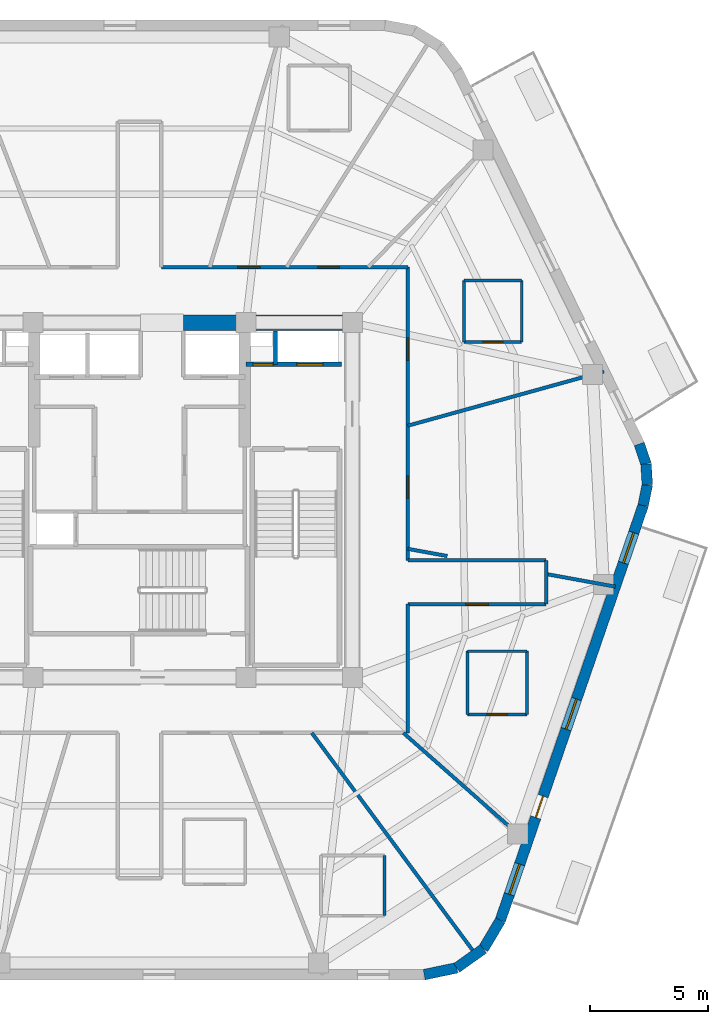
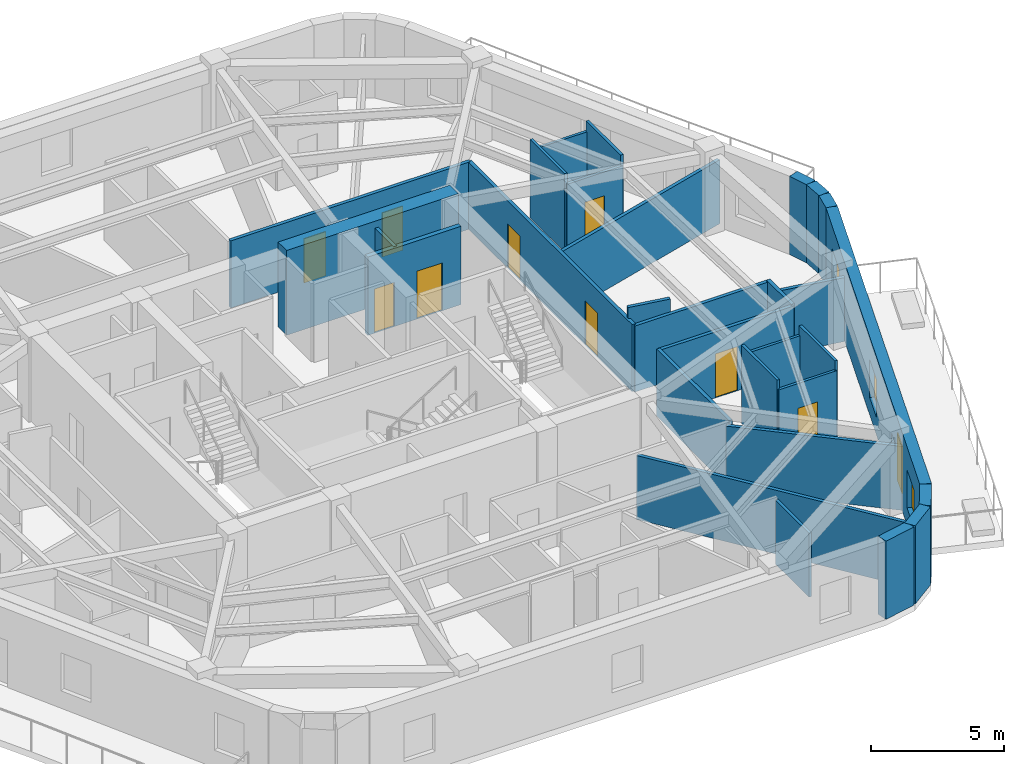
# One storey, part 5 of 9: 30 walls, 10 doors, 3 windows, 13 openings.
"""IFC4 building model written with IfcOpenShell, lengths in metres."""

from ifc_helpers import new_model, si_unit, direction, frame, frame_2d, origin, place, context, subcontext, project, spatial, rectangle, extrude, material, layer, layer_set, type_object, element, fill, save


model = new_model("IFC4")

# Units and contexts
model_context = context("Model", 3, precision=1e-05, world=origin(), true_north=direction((0.0, 1.0)))
body_context = subcontext(model_context, "Body", "Model", "MODEL_VIEW")
ifc_project = project(units=[si_unit("LENGTHUNIT", "METRE"), si_unit("AREAUNIT", "SQUARE_METRE"), si_unit("VOLUMEUNIT", "CUBIC_METRE"), si_unit("PLANEANGLEUNIT", "RADIAN"), si_unit("MASSUNIT", "GRAM", prefix="KILO")], contexts=[model_context])

# Site, building, storey
site_placement = place(None, origin())
site = spatial("IfcSite", under=ifc_project, at=site_placement, CompositionType="ELEMENT")
building_placement = place(site_placement, origin())
building = spatial("IfcBuilding", under=site, at=building_placement, Name="Kilnhurst Terrace Hotel", CompositionType="ELEMENT")
storey_placement = place(building_placement, frame((0.0, 0.0, 273.0)))
storey = spatial("IfcBuildingStorey", under=building, at=storey_placement, Name="L68", CompositionType="ELEMENT", Elevation=273.0)

# Walls
ifc_material_1 = material(Name="Precast concrete C40/50", Category="concrete")
ifc_layer_1 = layer(ifc_material_1, 0.449951171875, Name="Precast concrete C40/50")
ifc_layer_set_1 = layer_set([ifc_layer_1], Name="Precast concrete C40/50")
wall_type_1 = type_object("IfcWallType", Name="WL-BRK-450", PredefinedType="SOLIDWALL", material=ifc_layer_set_1)
wall_1_placement = place(storey_placement, frame((12.038330078125, -20.074951171875, 0.0), z_axis=(0.0, 0.0, 1.0), x_axis=(0.978750122553, 0.205056571711, 0.0)))
element("IfcWall", 1, at=wall_1_placement, inside=storey, type_object=wall_type_1, Name="L68 Rounded Corner Brick Wall C2.1", PredefinedType="SOLIDWALL", context=body_context, shape_type="SweptSolid", body=[
    extrude(rectangle(XDim=1.406005859375, YDim=0.449951171875, at=frame_2d((0.703125, 0.0))), origin(), (0.0, 0.0, 1.0), 3.60009765625),
])
wall_2_placement = place(storey_placement, frame((13.41455078125, -19.78662109375, 0.0), z_axis=(0.0, 0.0, 1.0), x_axis=(0.814055493997, 0.580787097561, 0.0)))
element("IfcWall", 2, at=wall_2_placement, inside=storey, type_object=wall_type_1, Name="L68 Rounded Corner Brick Wall C2.2", PredefinedType="SOLIDWALL", context=body_context, shape_type="SweptSolid", body=[
    extrude(rectangle(XDim=1.382568359375, YDim=0.449951171875, at=frame_2d((0.69140625, 0.0))), origin(), (0.0, 0.0, 1.0), 3.60009765625),
])
wall_3_placement = place(storey_placement, frame((14.5400390625, -18.983642578125, 0.0), z_axis=(0.0, 0.0, 1.0), x_axis=(0.512374906623, 0.858761873317, 0.0)))
element("IfcWall", 3, at=wall_3_placement, inside=storey, type_object=wall_type_1, Name="L68 Rounded Corner Brick Wall C2.3", PredefinedType="SOLIDWALL", context=body_context, shape_type="SweptSolid", body=[
    extrude(rectangle(XDim=1.406005859375, YDim=0.449951171875, at=frame_2d((0.703125, 0.0))), origin(), (0.0, 0.0, 1.0), 3.60009765625),
])
wall_4_placement = place(storey_placement, frame((21.297607421875, -0.2333984375, 0.0), z_axis=(0.0, 0.0, 1.0), x_axis=(0.199158176661, 0.979967356941, 0.0)))
element("IfcWall", 4, at=wall_4_placement, inside=storey, type_object=wall_type_1, Name="L68 Rounded Corner Brick Wall C3.1", PredefinedType="SOLIDWALL", context=body_context, shape_type="SweptSolid", body=[
    extrude(rectangle(XDim=0.894775390625, YDim=0.449951171875, at=frame_2d((0.447265625, 0.0))), origin(), (0.0, 0.0, 1.0), 3.60009765625),
])
wall_5_placement = place(storey_placement, frame((21.475830078125, 0.6435546875, 0.0), z_axis=(0.0, 0.0, 1.0), x_axis=(-0.061031097918, 0.998135865044, 0.0)))
element("IfcWall", 5, at=wall_5_placement, inside=storey, type_object=wall_type_1, Name="L68 Rounded Corner Brick Wall C3.2", PredefinedType="SOLIDWALL", context=body_context, shape_type="SweptSolid", body=[
    extrude(rectangle(XDim=0.880126953125, YDim=0.449951171875, at=frame_2d((0.43994140625, 0.0))), origin(), (0.0, 0.0, 1.0), 3.60009765625),
])
wall_6_placement = place(storey_placement, frame((21.422119140625, 1.52197265625, 0.0), z_axis=(0.0, 0.0, 1.0), x_axis=(-0.316964162323, 0.94843751497, 0.0)))
element("IfcWall", 6, at=wall_6_placement, inside=storey, type_object=wall_type_1, Name="L68 Rounded Corner Brick Wall C3.3", PredefinedType="SOLIDWALL", context=body_context, shape_type="SweptSolid", body=[
    extrude(rectangle(XDim=0.89501953125, YDim=0.449951171875, at=frame_2d((0.447509765625, 0.0))), origin(), (0.0, 0.0, 1.0), 3.60009765625),
])

# Wall, openings, door, windows
wall_7_placement = place(storey_placement, frame((15.260498046875, -17.776123046875, 0.0), z_axis=(0.0, 0.0, 1.0), x_axis=(0.325407437101, 0.945573899745, 0.0)))
wall_7 = element("IfcWall", 7, at=wall_7_placement, inside=storey, type_object=wall_type_1, Name="L68 Exterior Brick Facade Wall F2", PredefinedType="SOLIDWALL", context=body_context, shape_type="SweptSolid", body=[
    extrude(rectangle(XDim=18.552490234375, YDim=0.449951171875, at=frame_2d((9.2763671875, 0.0))), origin(), (0.0, 0.0, 1.0), 3.60009765625),
])
opening_1_placement = place(wall_7_placement, frame((4.60205078125, 0.0, 0.0)))
opening_1 = element("IfcOpeningElement", 8, at=opening_1_placement, cuts=wall_7, Name="Opening BD-950", PredefinedType="OPENING", context=body_context, shape_type="SweptSolid", body=[
    extrude(rectangle(XDim=0.949951171875, YDim=2.14990234375, at=frame_2d((0.47509765625, 1.074951171875))), frame((0.0, 0.23486328125, 0.0), z_axis=(0.0, -1.0, 0.0), x_axis=(1.0, 0.0, 0.0)), (0.0, 0.0, 1.0), 0.469970703125),
])
opening_2_placement = place(wall_7_placement, frame((1.160888671875, 0.0, 0.800048828125)))
opening_2 = element("IfcOpeningElement", 9, at=opening_2_placement, cuts=wall_7, Name="Opening W-06", PredefinedType="OPENING", context=body_context, shape_type="SweptSolid", body=[
    extrude(rectangle(XDim=1.35009765625, YDim=1.75, at=frame_2d((0.675048828125, 0.875))), frame((0.0, 0.23486328125, 0.0), z_axis=(0.0, -1.0, 0.0), x_axis=(1.0, 0.0, 0.0)), (0.0, 0.0, 1.0), 0.469970703125),
])
opening_3_placement = place(wall_7_placement, frame((8.548095703125, 0.0, 0.800048828125)))
opening_3 = element("IfcOpeningElement", 10, at=opening_3_placement, cuts=wall_7, Name="Opening W-06", PredefinedType="OPENING", context=body_context, shape_type="SweptSolid", body=[
    extrude(rectangle(XDim=1.35009765625, YDim=1.75, at=frame_2d((0.675048828125, 0.875))), frame((0.0, 0.23486328125, 0.0), z_axis=(0.0, -1.0, 0.0), x_axis=(1.0, 0.0, 0.0)), (0.0, 0.0, 1.0), 0.469970703125),
])
opening_4_placement = place(wall_7_placement, frame((15.987060546875, 0.0, 0.800048828125)))
opening_4 = element("IfcOpeningElement", 11, at=opening_4_placement, cuts=wall_7, Name="Opening W-06", PredefinedType="OPENING", context=body_context, shape_type="SweptSolid", body=[
    extrude(rectangle(XDim=1.35009765625, YDim=1.75, at=frame_2d((0.675048828125, 0.875))), frame((0.0, 0.23486328125, 0.0), z_axis=(0.0, -1.0, 0.0), x_axis=(1.0, 0.0, 0.0)), (0.0, 0.0, 1.0), 0.469970703125),
])
ifc_material_2 = material(Name="Thermally Broken Bronze Aluminium Alloy 6063-T6 and Laminated Glass", Category="aluminium")
door_type_1 = type_object("IfcDoorType", Name="DR-EXT-BAL-950", OperationType="NOTDEFINED", PredefinedType="DOOR", material=ifc_material_2)
door_1_placement = place(opening_1_placement, origin())
door_1 = element("IfcDoor", 12, at=door_1_placement, inside=storey, type_object=door_type_1, Name="L68 Planted Balcony Door BAL-L1A", OperationType="SINGLE_SWING_RIGHT", OverallHeight=2.14990234375, OverallWidth=0.949951171875, PredefinedType="DOOR", context=body_context, shape_type="SweptSolid", body=[
    extrude(rectangle(XDim=0.949951171875, YDim=2.14990234375, at=frame_2d((0.47509765625, 1.074951171875))), frame((0.0, 0.02490234375, 0.0), z_axis=(0.0, -1.0, 0.0), x_axis=(1.0, 0.0, 0.0)), (0.0, 0.0, 1.0), 0.050048828125),
])
fill(opening_1, door_1)
ifc_material_3 = material(Name="Thermally Broken Bronze Aluminium Alloy 6063-T6 and Low-E Glass", Category="aluminium")
window_type = type_object("IfcWindowType", Name="WIN-1350X1750", PartitioningType="SINGLE_PANEL", PredefinedType="WINDOW", material=ifc_material_3)
window_1_placement = place(opening_2_placement, origin())
window_1 = element("IfcWindow", 13, at=window_1_placement, inside=storey, type_object=window_type, Name="L68 Deep-Set Masonry Window F2.1", OverallHeight=1.75, OverallWidth=1.35009765625, PartitioningType="SINGLE_PANEL", PredefinedType="WINDOW", context=body_context, shape_type="SweptSolid", body=[
    extrude(rectangle(XDim=1.35009765625, YDim=1.75, at=frame_2d((0.675048828125, 0.875))), frame((0.0, 0.030029296875, 0.0), z_axis=(0.0, -1.0, 0.0), x_axis=(1.0, 0.0, 0.0)), (0.0, 0.0, 1.0), 0.06005859375),
])
fill(opening_2, window_1)
window_2_placement = place(opening_3_placement, origin())
window_2 = element("IfcWindow", 14, at=window_2_placement, inside=storey, type_object=window_type, Name="L68 Deep-Set Masonry Window F2.2", OverallHeight=1.75, OverallWidth=1.35009765625, PartitioningType="SINGLE_PANEL", PredefinedType="WINDOW", context=body_context, shape_type="SweptSolid", body=[
    extrude(rectangle(XDim=1.35009765625, YDim=1.75, at=frame_2d((0.675048828125, 0.875))), frame((0.0, 0.030029296875, 0.0), z_axis=(0.0, -1.0, 0.0), x_axis=(1.0, 0.0, 0.0)), (0.0, 0.0, 1.0), 0.06005859375),
])
fill(opening_3, window_2)
window_3_placement = place(opening_4_placement, origin())
window_3 = element("IfcWindow", 15, at=window_3_placement, inside=storey, type_object=window_type, Name="L68 Deep-Set Masonry Window F2.3", OverallHeight=1.75, OverallWidth=1.35009765625, PartitioningType="SINGLE_PANEL", PredefinedType="WINDOW", context=body_context, shape_type="SweptSolid", body=[
    extrude(rectangle(XDim=1.35009765625, YDim=1.75, at=frame_2d((0.675048828125, 0.875))), frame((0.0, 0.030029296875, 0.0), z_axis=(0.0, -1.0, 0.0), x_axis=(1.0, 0.0, 0.0)), (0.0, 0.0, 1.0), 0.06005859375),
])
fill(opening_4, window_3)

# Wall, openings, doors
ifc_material_4 = material(Name="Acoustic Double-Gypsum Corridor Partition Assembly")
ifc_layer_2 = layer(ifc_material_4, 0.14990234375, Name="Acoustic Double-Gypsum Corridor Partition Assembly")
ifc_layer_set_2 = layer_set([ifc_layer_2], Name="Acoustic Double-Gypsum Corridor Partition Assembly")
wall_type_2 = type_object("IfcWallType", Name="WL-COR-150", PredefinedType="PARTITIONING", material=ifc_layer_set_2)
wall_8_placement = place(storey_placement, frame((0.919921875, 9.85009765625, 0.0), z_axis=(0.0, 0.0, 1.0), x_axis=(1.0, 0.0, 0.0)))
wall_8 = element("IfcWall", 16, at=wall_8_placement, inside=storey, type_object=wall_type_2, Name="L68 Interior Wall WL-L68-COR-10", PredefinedType="PARTITIONING", context=body_context, shape_type="SweptSolid", body=[
    extrude(rectangle(XDim=10.43017578125, YDim=0.14990234375, at=frame_2d((5.215087890625, 0.0))), origin(), (0.0, 0.0, 1.0), 3.090087890625),
])
opening_5_placement = place(wall_8_placement, frame((6.626953125, 0.0, 0.0)))
opening_5 = element("IfcOpeningElement", 17, at=opening_5_placement, cuts=wall_8, Name="Opening D-60C", PredefinedType="OPENING", context=body_context, shape_type="SweptSolid", body=[
    extrude(rectangle(XDim=0.89990234375, YDim=2.030029296875, at=frame_2d((0.449951171875, 1.01513671875))), frame((0.0, 0.0849609375, 0.0), z_axis=(0.0, -1.0, 0.0), x_axis=(1.0, 0.0, 0.0)), (0.0, 0.0, 1.0), 0.169921875),
])
opening_6_placement = place(wall_8_placement, frame((3.22607421875, 0.0, 0.0)))
opening_6 = element("IfcOpeningElement", 18, at=opening_6_placement, cuts=wall_8, Name="Opening D-60B", PredefinedType="OPENING", context=body_context, shape_type="SweptSolid", body=[
    extrude(rectangle(XDim=0.949951171875, YDim=2.030029296875, at=frame_2d((0.47509765625, 1.01513671875))), frame((0.0, 0.0849609375, 0.0), z_axis=(0.0, -1.0, 0.0), x_axis=(1.0, 0.0, 0.0)), (0.0, 0.0, 1.0), 0.169921875),
])
ifc_material_5 = material(Name="Painted Solid-Core Service Fire Door")
door_type_2 = type_object("IfcDoorType", Name="DR-FD60-900", OperationType="NOTDEFINED", PredefinedType="DOOR", material=ifc_material_5)
door_2_placement = place(opening_5_placement, origin())
door_2 = element("IfcDoor", 19, at=door_2_placement, inside=storey, type_object=door_type_2, Name="L68 Private Study Salon Door 2", OperationType="SINGLE_SWING_RIGHT", OverallHeight=2.030029296875, OverallWidth=0.89990234375, PredefinedType="DOOR", context=body_context, shape_type="SweptSolid", body=[
    extrude(rectangle(XDim=0.89990234375, YDim=2.030029296875, at=frame_2d((0.449951171875, 1.01513671875))), frame((0.0, 0.02490234375, 0.0), z_axis=(0.0, -1.0, 0.0), x_axis=(1.0, 0.0, 0.0)), (0.0, 0.0, 1.0), 0.050048828125),
])
fill(opening_5, door_2)
ifc_material_6 = material(Name="Acoustic Walnut Veneer Solid-Core Fire Door")
door_type_3 = type_object("IfcDoorType", Name="DR-FD60-950", OperationType="NOTDEFINED", PredefinedType="DOOR", material=ifc_material_6)
door_3_placement = place(opening_6_placement, origin())
door_3 = element("IfcDoor", 20, at=door_3_placement, inside=storey, type_object=door_type_3, Name="L68 Guest Room Entry Door 3", OperationType="SINGLE_SWING_LEFT", OverallHeight=2.030029296875, OverallWidth=0.949951171875, PredefinedType="DOOR", context=body_context, shape_type="SweptSolid", body=[
    extrude(rectangle(XDim=0.949951171875, YDim=2.030029296875, at=frame_2d((0.47509765625, 1.01513671875))), frame((0.0, 0.02490234375, 0.0), z_axis=(0.0, -1.0, 0.0), x_axis=(1.0, 0.0, 0.0)), (0.0, 0.0, 1.0), 0.050048828125),
])
fill(opening_6, door_3)

wall_9_placement = place(storey_placement, frame((11.35009765625, 9.85009765625, 0.0), z_axis=(0.0, 0.0, 1.0), x_axis=(0.0, -1.0, 0.0)))
wall_9 = element("IfcWall", 21, at=wall_9_placement, inside=storey, type_object=wall_type_2, Name="L68 Interior Wall WL-L68-COR-11", PredefinedType="PARTITIONING", context=body_context, shape_type="SweptSolid", body=[
    extrude(rectangle(XDim=12.400146484375, YDim=0.14990234375, at=frame_2d((6.2001953125, 0.0))), origin(), (0.0, 0.0, 1.0), 3.090087890625),
])
opening_7_placement = place(wall_9_placement, frame((2.998046875, 0.0, 0.0)))
opening_7 = element("IfcOpeningElement", 22, at=opening_7_placement, cuts=wall_9, Name="Opening D-60B", PredefinedType="OPENING", context=body_context, shape_type="SweptSolid", body=[
    extrude(rectangle(XDim=0.949951171875, YDim=2.030029296875, at=frame_2d((0.47509765625, 1.01513671875))), frame((0.0, 0.0849609375, 0.0), z_axis=(0.0, -1.0, 0.0), x_axis=(1.0, 0.0, 0.0)), (0.0, 0.0, 1.0), 0.169921875),
])
opening_8_placement = place(wall_9_placement, frame((8.8349609375, 0.0, 0.0)))
opening_8 = element("IfcOpeningElement", 23, at=opening_8_placement, cuts=wall_9, Name="Opening D-60B", PredefinedType="OPENING", context=body_context, shape_type="SweptSolid", body=[
    extrude(rectangle(XDim=0.949951171875, YDim=2.030029296875, at=frame_2d((0.47509765625, 1.01513671875))), frame((0.0, 0.0849609375, 0.0), z_axis=(0.0, -1.0, 0.0), x_axis=(1.0, 0.0, 0.0)), (0.0, 0.0, 1.0), 0.169921875),
])
door_4_placement = place(opening_7_placement, origin())
door_4 = element("IfcDoor", 24, at=door_4_placement, inside=storey, type_object=door_type_3, Name="L68 Executive Suite Entry Door 1", OperationType="SINGLE_SWING_LEFT", OverallHeight=2.030029296875, OverallWidth=0.949951171875, PredefinedType="DOOR", context=body_context, shape_type="SweptSolid", body=[
    extrude(rectangle(XDim=0.949951171875, YDim=2.030029296875, at=frame_2d((0.47509765625, 1.01513671875))), frame((0.0, 0.02490234375, 0.0), z_axis=(0.0, -1.0, 0.0), x_axis=(1.0, 0.0, 0.0)), (0.0, 0.0, 1.0), 0.050048828125),
])
fill(opening_7, door_4)
door_5_placement = place(opening_8_placement, origin())
door_5 = element("IfcDoor", 25, at=door_5_placement, inside=storey, type_object=door_type_3, Name="L68 Study Salon Door", OperationType="SINGLE_SWING_LEFT", OverallHeight=2.030029296875, OverallWidth=0.949951171875, PredefinedType="DOOR", context=body_context, shape_type="SweptSolid", body=[
    extrude(rectangle(XDim=0.949951171875, YDim=2.030029296875, at=frame_2d((0.47509765625, 1.01513671875))), frame((0.0, 0.02490234375, 0.0), z_axis=(0.0, -1.0, 0.0), x_axis=(1.0, 0.0, 0.0)), (0.0, 0.0, 1.0), 0.050048828125),
])
fill(opening_8, door_5)

# Walls
wall_10_placement = place(storey_placement, frame((11.35009765625, -2.550048828125, 0.0), z_axis=(0.0, 0.0, 1.0), x_axis=(1.0, 0.0, 0.0)))
element("IfcWall", 26, at=wall_10_placement, inside=storey, type_object=wall_type_2, Name="L68 Interior Wall WL-L68-COR-12", PredefinedType="PARTITIONING", context=body_context, shape_type="SweptSolid", body=[
    extrude(rectangle(XDim=5.849853515625, YDim=0.14990234375, at=frame_2d((2.9248046875, 0.0))), origin(), (0.0, 0.0, 1.0), 3.04052734375),
])
wall_11_placement = place(storey_placement, frame((17.199951171875, -2.550048828125, 0.0), z_axis=(0.0, 0.0, 1.0), x_axis=(0.0, -1.0, 0.0)))
element("IfcWall", 27, at=wall_11_placement, inside=storey, type_object=wall_type_2, Name="L68 Interior Wall WL-L68-COR-13", PredefinedType="PARTITIONING", context=body_context, shape_type="SweptSolid", body=[
    extrude(rectangle(XDim=1.849853515625, YDim=0.14990234375, at=frame_2d((0.9248046875, 0.0))), origin(), (0.0, 0.0, 1.0), 3.090087890625),
])

# Wall, opening, door
wall_12_placement = place(storey_placement, frame((17.199951171875, -4.39990234375, 0.0), z_axis=(0.0, 0.0, 1.0), x_axis=(-1.0, 0.0, 0.0)))
wall_12 = element("IfcWall", 28, at=wall_12_placement, inside=storey, type_object=wall_type_2, Name="L68 Interior Wall WL-L68-COR-14", PredefinedType="PARTITIONING", context=body_context, shape_type="SweptSolid", body=[
    extrude(rectangle(XDim=5.849853515625, YDim=0.14990234375, at=frame_2d((2.9248046875, 0.0))), origin(), (0.0, 0.0, 1.0), 3.04052734375),
])
opening_9_placement = place(wall_12_placement, frame((2.449951171875, 0.0, 0.0)))
opening_9 = element("IfcOpeningElement", 29, at=opening_9_placement, cuts=wall_12, Name="Opening D-60B", PredefinedType="OPENING", context=body_context, shape_type="SweptSolid", body=[
    extrude(rectangle(XDim=0.949951171875, YDim=2.030029296875, at=frame_2d((0.47509765625, 1.01513671875))), frame((0.0, 0.0849609375, 0.0), z_axis=(0.0, -1.0, 0.0), x_axis=(1.0, 0.0, 0.0)), (0.0, 0.0, 1.0), 0.169921875),
])
door_6_placement = place(opening_9_placement, origin())
door_6 = element("IfcDoor", 30, at=door_6_placement, inside=storey, type_object=door_type_3, Name="L68 Executive Suite Entry Door 14", OperationType="SINGLE_SWING_RIGHT", OverallHeight=2.030029296875, OverallWidth=0.949951171875, PredefinedType="DOOR", context=body_context, shape_type="SweptSolid", body=[
    extrude(rectangle(XDim=0.949951171875, YDim=2.030029296875, at=frame_2d((0.47509765625, 1.01513671875))), frame((0.0, 0.02490234375, 0.0), z_axis=(0.0, -1.0, 0.0), x_axis=(1.0, 0.0, 0.0)), (0.0, 0.0, 1.0), 0.050048828125),
])
fill(opening_9, door_6)

# Walls
wall_13_placement = place(storey_placement, frame((11.35009765625, -4.39990234375, 0.0), z_axis=(0.0, 0.0, 1.0), x_axis=(0.0, -1.0, 0.0)))
element("IfcWall", 31, at=wall_13_placement, inside=storey, type_object=wall_type_2, Name="L68 Interior Wall WL-L68-COR-15", PredefinedType="PARTITIONING", context=body_context, shape_type="SweptSolid", body=[
    extrude(rectangle(XDim=5.4501953125, YDim=0.14990234375, at=frame_2d((2.72509765625, 0.0))), origin(), (0.0, 0.0, 1.0), 3.090087890625),
])
ifc_material_7 = material(Name="Concrete C60/75", Category="concrete")
ifc_layer_3 = layer(ifc_material_7, 0.64990234375, Name="Concrete C60/75")
ifc_layer_set_3 = layer_set([ifc_layer_3], Name="Concrete C60/75")
wall_type_3 = type_object("IfcWallType", Name="WL-CORE-650", PredefinedType="SHEAR", material=ifc_layer_set_3)
wall_14_placement = place(storey_placement, frame((1.85009765625, 7.5, 0.0), z_axis=(0.0, 0.0, 1.0), x_axis=(1.0, 0.0, 0.0)))
element("IfcWall", 32, at=wall_14_placement, inside=storey, type_object=wall_type_3, Name="L68 Core North East Shear Wall", PredefinedType="SHEAR", context=body_context, shape_type="SweptSolid", body=[
    extrude(rectangle(XDim=7.474853515625, YDim=0.64990234375, at=frame_2d((3.7373046875, 0.0))), origin(), (0.0, 0.0, 1.0), 3.89990234375),
])
ifc_material_8 = material(Name="STC-58 Acoustic Twin-Frame Guestroom Demising Partition")
ifc_layer_4 = layer(ifc_material_8, 0.14990234375, Name="STC-58 Acoustic Twin-Frame Guestroom Demising Partition")
ifc_layer_set_4 = layer_set([ifc_layer_4], Name="STC-58 Acoustic Twin-Frame Guestroom Demising Partition")
wall_type_4 = type_object("IfcWallType", Name="WL-DEM-150", PredefinedType="PARTITIONING", material=ifc_layer_set_4)
wall_15_placement = place(storey_placement, frame((11.35009765625, 3.142822265625, 0.0), z_axis=(0.0, 0.0, 1.0), x_axis=(0.963731818141, 0.266872596386, 0.0)))
element("IfcWall", 33, at=wall_15_placement, inside=storey, type_object=wall_type_4, Name="L68 Interior Wall WL-L68-DEM-COL01-01-1", PredefinedType="PARTITIONING", context=body_context, shape_type="SweptSolid", body=[
    extrude(rectangle(XDim=8.604736328125, YDim=0.14990234375, at=frame_2d((4.30224609375, 0.0))), origin(), (0.0, 0.0, 1.0), 2.93994140625),
])
wall_16_placement = place(storey_placement, frame((7.286865234375, -9.85009765625, 0.0), z_axis=(0.0, 0.0, 1.0), x_axis=(0.594730961824, -0.803924799373, 0.0)))
element("IfcWall", 34, at=wall_16_placement, inside=storey, type_object=wall_type_4, Name="L68 Interior Wall WL-L68-DEM-MID10-13-1", PredefinedType="PARTITIONING", context=body_context, shape_type="SweptSolid", body=[
    extrude(rectangle(XDim=11.48974609375, YDim=0.14990234375, at=frame_2d((5.744873046875, 0.0))), origin(), (0.0, 0.0, 1.0), 2.93994140625),
])
wall_17_placement = place(storey_placement, frame((11.1572265625, -9.85009765625, 0.0), z_axis=(0.0, 0.0, 1.0), x_axis=(0.74966962095, -0.661812253909, 0.0)))
element("IfcWall", 35, at=wall_17_placement, inside=storey, type_object=wall_type_4, Name="L68 Interior Wall WL-L68-DEM-COL11-14-1", PredefinedType="PARTITIONING", context=body_context, shape_type="SweptSolid", body=[
    extrude(rectangle(XDim=6.98876953125, YDim=0.14990234375, at=frame_2d((3.494384765625, 0.0))), origin(), (0.0, 0.0, 1.0), 2.93994140625),
])
wall_18_placement = place(storey_placement, frame((11.35009765625, -2.067138671875, 0.0), z_axis=(0.0, 0.0, 1.0), x_axis=(0.983807459651, -0.179228575665, 0.0)))
element("IfcWall", 36, at=wall_18_placement, inside=storey, type_object=wall_type_4, Name="L68 Interior Wall WL-L68-DEM-COL12-15-1", PredefinedType="PARTITIONING", context=body_context, shape_type="SweptSolid", body=[
    extrude(rectangle(XDim=1.6904296875, YDim=0.14990234375, at=frame_2d((0.84521484375, 0.0))), origin(), (0.0, 0.0, 1.0), 3.60009765625),
])
wall_19_placement = place(storey_placement, frame((17.199951171875, -3.132568359375, 0.0), z_axis=(0.0, 0.0, 1.0), x_axis=(0.983817168797, -0.179175272791, 0.0)))
element("IfcWall", 37, at=wall_19_placement, inside=storey, type_object=wall_type_4, Name="L68 Interior Wall WL-L68-DEM-COL12-15-2", PredefinedType="PARTITIONING", context=body_context, shape_type="SweptSolid", body=[
    extrude(rectangle(XDim=2.965087890625, YDim=0.14990234375, at=frame_2d((1.482421875, 0.0))), origin(), (0.0, 0.0, 1.0), 2.93994140625),
])

# Wall, opening, door
ifc_material_9 = material(Name="120 mm Moisture-Resistant Tile-Backed Bathroom Partition")
ifc_layer_5 = layer(ifc_material_9, 0.1201171875, Name="120 mm Moisture-Resistant Tile-Backed Bathroom Partition")
ifc_layer_set_5 = layer_set([ifc_layer_5], Name="120 mm Moisture-Resistant Tile-Backed Bathroom Partition")
wall_type_5 = type_object("IfcWallType", Name="WL-PART-120", PredefinedType="PARTITIONING", material=ifc_layer_set_5)
wall_20_placement = place(storey_placement, frame((13.722900390625, 6.677001953125, 0.0), z_axis=(0.0, 0.0, 1.0), x_axis=(1.0, 0.0, 0.0)))
wall_20 = element("IfcWall", 38, at=wall_20_placement, inside=storey, type_object=wall_type_5, Name="L68 Interior Wall WL-L68-BTH-01-1", PredefinedType="PARTITIONING", context=body_context, shape_type="SweptSolid", body=[
    extrude(rectangle(XDim=2.440185546875, YDim=0.1201171875, at=frame_2d((1.22021484375, 0.0))), origin(), (0.0, 0.0, 1.0), 3.12646484375),
])
opening_10_placement = place(wall_20_placement, frame((0.794921875, 0.0, 0.0)))
opening_10 = element("IfcOpeningElement", 39, at=opening_10_placement, cuts=wall_20, Name="Opening D-08A", PredefinedType="OPENING", context=body_context, shape_type="SweptSolid", body=[
    extrude(rectangle(XDim=0.85009765625, YDim=2.030029296875, at=frame_2d((0.425048828125, 1.01513671875))), frame((0.0, 0.070068359375, 0.0), z_axis=(0.0, -1.0, 0.0), x_axis=(1.0, 0.0, 0.0)), (0.0, 0.0, 1.0), 0.14013671875),
])
ifc_material_10 = material(Name="Moisture-Resistant Lacquered En-suite Bathroom Door")
door_type_4 = type_object("IfcDoorType", Name="DR-INT-850", OperationType="NOTDEFINED", PredefinedType="DOOR", material=ifc_material_10)
door_7_placement = place(opening_10_placement, origin())
door_7 = element("IfcDoor", 40, at=door_7_placement, inside=storey, type_object=door_type_4, Name="L68 En-suite Bathroom Door 1", OperationType="SINGLE_SWING_RIGHT", OverallHeight=2.030029296875, OverallWidth=0.85009765625, PredefinedType="DOOR", context=body_context, shape_type="SweptSolid", body=[
    extrude(rectangle(XDim=0.85009765625, YDim=2.030029296875, at=frame_2d((0.425048828125, 1.01513671875))), frame((0.0, 0.02490234375, 0.0), z_axis=(0.0, -1.0, 0.0), x_axis=(1.0, 0.0, 0.0)), (0.0, 0.0, 1.0), 0.050048828125),
])
fill(opening_10, door_7)

# Walls
wall_21_placement = place(storey_placement, frame((16.1630859375, 6.677001953125, 0.0), z_axis=(0.0, 0.0, 1.0), x_axis=(0.0, 1.0, 0.0)))
element("IfcWall", 41, at=wall_21_placement, inside=storey, type_object=wall_type_5, Name="L68 Interior Wall WL-L68-BTH-01-2", PredefinedType="PARTITIONING", context=body_context, shape_type="SweptSolid", body=[
    extrude(rectangle(XDim=2.610107421875, YDim=0.1201171875, at=frame_2d((1.30517578125, 0.0))), origin(), (0.0, 0.0, 1.0), 3.60009765625),
])
wall_22_placement = place(storey_placement, frame((16.1630859375, 9.287109375, 0.0), z_axis=(0.0, 0.0, 1.0), x_axis=(-1.0, 0.0, 0.0)))
element("IfcWall", 42, at=wall_22_placement, inside=storey, type_object=wall_type_5, Name="L68 Interior Wall WL-L68-BTH-01-3", PredefinedType="PARTITIONING", context=body_context, shape_type="SweptSolid", body=[
    extrude(rectangle(XDim=2.440185546875, YDim=0.1201171875, at=frame_2d((1.22021484375, 0.0))), origin(), (0.0, 0.0, 1.0), 3.12646484375),
])
wall_23_placement = place(storey_placement, frame((13.722900390625, 9.287109375, 0.0), z_axis=(0.0, 0.0, 1.0), x_axis=(0.0, -1.0, 0.0)))
element("IfcWall", 43, at=wall_23_placement, inside=storey, type_object=wall_type_5, Name="L68 Interior Wall WL-L68-BTH-01-4", PredefinedType="PARTITIONING", context=body_context, shape_type="SweptSolid", body=[
    extrude(rectangle(XDim=2.610107421875, YDim=0.1201171875, at=frame_2d((1.30517578125, 0.0))), origin(), (0.0, 0.0, 1.0), 3.60009765625),
])
wall_24_placement = place(storey_placement, frame((10.35400390625, -17.5810546875, 0.0), z_axis=(0.0, 0.0, 1.0), x_axis=(0.0, 1.0, 0.0)))
element("IfcWall", 44, at=wall_24_placement, inside=storey, type_object=wall_type_5, Name="L68 Interior Wall WL-L68-BTH-12-2", PredefinedType="PARTITIONING", context=body_context, shape_type="SweptSolid", body=[
    extrude(rectangle(XDim=2.5400390625, YDim=0.1201171875, at=frame_2d((1.27001953125, 0.0))), origin(), (0.0, 0.0, 1.0), 2.93994140625),
])

# Wall, opening, door
wall_25_placement = place(storey_placement, frame((13.867919921875, -9.073974609375, 0.0), z_axis=(0.0, 0.0, 1.0), x_axis=(1.0, 0.0, 0.0)))
wall_25 = element("IfcWall", 45, at=wall_25_placement, inside=storey, type_object=wall_type_5, Name="L68 Interior Wall WL-L68-BTH-14-1", PredefinedType="PARTITIONING", context=body_context, shape_type="SweptSolid", body=[
    extrude(rectangle(XDim=2.52001953125, YDim=0.1201171875, at=frame_2d((1.260009765625, 0.0))), origin(), (0.0, 0.0, 1.0), 3.17236328125),
])
opening_11_placement = place(wall_25_placement, frame((0.8349609375, 0.0, 0.0)))
opening_11 = element("IfcOpeningElement", 46, at=opening_11_placement, cuts=wall_25, Name="Opening D-08A", PredefinedType="OPENING", context=body_context, shape_type="SweptSolid", body=[
    extrude(rectangle(XDim=0.85009765625, YDim=2.030029296875, at=frame_2d((0.425048828125, 1.01513671875))), frame((0.0, 0.070068359375, 0.0), z_axis=(0.0, -1.0, 0.0), x_axis=(1.0, 0.0, 0.0)), (0.0, 0.0, 1.0), 0.14013671875),
])
door_8_placement = place(opening_11_placement, origin())
door_8 = element("IfcDoor", 47, at=door_8_placement, inside=storey, type_object=door_type_4, Name="L68 En-suite Bathroom Door 14", OperationType="SINGLE_SWING_LEFT", OverallHeight=2.030029296875, OverallWidth=0.85009765625, PredefinedType="DOOR", context=body_context, shape_type="SweptSolid", body=[
    extrude(rectangle(XDim=0.85009765625, YDim=2.030029296875, at=frame_2d((0.425048828125, 1.01513671875))), frame((0.0, 0.02490234375, 0.0), z_axis=(0.0, -1.0, 0.0), x_axis=(1.0, 0.0, 0.0)), (0.0, 0.0, 1.0), 0.050048828125),
])
fill(opening_11, door_8)

# Walls
wall_26_placement = place(storey_placement, frame((16.387939453125, -9.073974609375, 0.0), z_axis=(0.0, 0.0, 1.0), x_axis=(0.0, 1.0, 0.0)))
element("IfcWall", 48, at=wall_26_placement, inside=storey, type_object=wall_type_5, Name="L68 Interior Wall WL-L68-BTH-14-2", PredefinedType="PARTITIONING", context=body_context, shape_type="SweptSolid", body=[
    extrude(rectangle(XDim=2.679931640625, YDim=0.1201171875, at=frame_2d((1.33984375, 0.0))), origin(), (0.0, 0.0, 1.0), 3.60009765625),
])
wall_27_placement = place(storey_placement, frame((16.387939453125, -6.39404296875, 0.0), z_axis=(0.0, 0.0, 1.0), x_axis=(-1.0, 0.0, 0.0)))
element("IfcWall", 49, at=wall_27_placement, inside=storey, type_object=wall_type_5, Name="L68 Interior Wall WL-L68-BTH-14-3", PredefinedType="PARTITIONING", context=body_context, shape_type="SweptSolid", body=[
    extrude(rectangle(XDim=2.52001953125, YDim=0.1201171875, at=frame_2d((1.260009765625, 0.0))), origin(), (0.0, 0.0, 1.0), 3.17236328125),
])
wall_28_placement = place(storey_placement, frame((13.867919921875, -6.39404296875, 0.0), z_axis=(0.0, 0.0, 1.0), x_axis=(0.0, -1.0, 0.0)))
element("IfcWall", 50, at=wall_28_placement, inside=storey, type_object=wall_type_5, Name="L68 Interior Wall WL-L68-BTH-14-4", PredefinedType="PARTITIONING", context=body_context, shape_type="SweptSolid", body=[
    extrude(rectangle(XDim=2.679931640625, YDim=0.1201171875, at=frame_2d((1.33984375, 0.0))), origin(), (0.0, 0.0, 1.0), 3.60009765625),
])
ifc_material_11 = material(Name="Fire-Rated Gypsum Shaftliner Assembly")
ifc_layer_6 = layer(ifc_material_11, 0.14990234375, Name="Fire-Rated Gypsum Shaftliner Assembly")
ifc_layer_set_6 = layer_set([ifc_layer_6], Name="Fire-Rated Gypsum Shaftliner Assembly")
wall_type_6 = type_object("IfcWallType", Name="WL-SHAFT-150", PredefinedType="PARTITIONING", material=ifc_layer_set_6)
wall_29_placement = place(storey_placement, frame((5.75, 5.739990234375, 0.0), z_axis=(0.0, 0.0, 1.0), x_axis=(0.0, 1.0, 0.0)))
element("IfcWall", 51, at=wall_29_placement, inside=storey, type_object=wall_type_6, Name="L68 Interior Wall WL-L68-RIS2-DIV", PredefinedType="PARTITIONING", context=body_context, shape_type="SweptSolid", body=[
    extrude(rectangle(XDim=1.409912109375, YDim=0.14990234375, at=frame_2d((0.705078125, 0.0))), origin(), (0.0, 0.0, 1.0), 3.60009765625),
])

# Wall, openings, doors
ifc_material_12 = material(Name="Autoclaved Aerated Concrete C30/37 and Gypsum Shaft Assembly", Category="concrete")
ifc_layer_7 = layer(ifc_material_12, 0.199951171875, Name="Autoclaved Aerated Concrete C30/37 and Gypsum Shaft Assembly")
ifc_layer_set_7 = layer_set([ifc_layer_7], Name="Autoclaved Aerated Concrete C30/37 and Gypsum Shaft Assembly")
wall_type_7 = type_object("IfcWallType", Name="WL-SHAFT-200", PredefinedType="PARTITIONING", material=ifc_layer_set_7)
wall_30_placement = place(storey_placement, frame((4.5, 5.739990234375, 0.0), z_axis=(0.0, 0.0, 1.0), x_axis=(1.0, 0.0, 0.0)))
wall_30 = element("IfcWall", 52, at=wall_30_placement, inside=storey, type_object=wall_type_7, Name="L68 Interior Wall WL-L68-FSAE2-S", PredefinedType="PARTITIONING", context=body_context, shape_type="SweptSolid", body=[
    extrude(rectangle(XDim=4.050048828125, YDim=0.199951171875, at=frame_2d((2.02490234375, 0.0))), origin(), (0.0, 0.0, 1.0), 3.60009765625),
])
opening_12_placement = place(wall_30_placement, frame((0.300048828125, 0.0, 0.0)))
opening_12 = element("IfcOpeningElement", 53, at=opening_12_placement, cuts=wall_30, Name="Opening D-60D", PredefinedType="OPENING", context=body_context, shape_type="SweptSolid", body=[
    extrude(rectangle(XDim=0.85009765625, YDim=2.030029296875, at=frame_2d((0.425048828125, 1.01513671875))), frame((0.0, 0.10986328125, 0.0), z_axis=(0.0, -1.0, 0.0), x_axis=(1.0, 0.0, 0.0)), (0.0, 0.0, 1.0), 0.219970703125),
])
opening_13_placement = place(wall_30_placement, frame((2.14990234375, 0.0, 0.0)))
opening_13 = element("IfcOpeningElement", 54, at=opening_13_placement, cuts=wall_30, Name="Opening LD-F2", PredefinedType="OPENING", context=body_context, shape_type="SweptSolid", body=[
    extrude(rectangle(XDim=1.10009765625, YDim=2.199951171875, at=frame_2d((0.550048828125, 1.10009765625))), frame((0.0, 0.10986328125, 0.0), z_axis=(0.0, -1.0, 0.0), x_axis=(1.0, 0.0, 0.0)), (0.0, 0.0, 1.0), 0.219970703125),
])
ifc_material_13 = material(Name="Painted Hollow Metal Steel ASTM A36 Riser Door", Category="steel")
door_type_5 = type_object("IfcDoorType", Name="DR-FD60-850", OperationType="NOTDEFINED", PredefinedType="DOOR", material=ifc_material_13)
door_9_placement = place(opening_12_placement, origin())
door_9 = element("IfcDoor", 55, at=door_9_placement, inside=storey, type_object=door_type_5, Name="L68 Telecom Riser Door", OperationType="SINGLE_SWING_RIGHT", OverallHeight=2.030029296875, OverallWidth=0.85009765625, PredefinedType="DOOR", context=body_context, shape_type="SweptSolid", body=[
    extrude(rectangle(XDim=0.85009765625, YDim=2.030029296875, at=frame_2d((0.425048828125, 1.01513671875))), frame((0.0, 0.02490234375, 0.0), z_axis=(0.0, -1.0, 0.0), x_axis=(1.0, 0.0, 0.0)), (0.0, 0.0, 1.0), 0.050048828125),
])
fill(opening_12, door_9)
ifc_material_14 = material(Name="Bronze-Anodized Stainless Steel AISI 316L Sliding Door", Category="steel")
door_type_6 = type_object("IfcDoorType", Name="DR-LIFT-1100", OperationType="NOTDEFINED", PredefinedType="DOOR", material=ifc_material_14)
door_10_placement = place(opening_13_placement, origin())
door_10 = element("IfcDoor", 56, at=door_10_placement, inside=storey, type_object=door_type_6, Name="L68 FSAE-2 Landing Door", OperationType="SLIDING_TO_RIGHT", OverallHeight=2.199951171875, OverallWidth=1.10009765625, PredefinedType="DOOR", context=body_context, shape_type="SweptSolid", body=[
    extrude(rectangle(XDim=1.10009765625, YDim=2.199951171875, at=frame_2d((0.550048828125, 1.10009765625))), frame((0.0, 0.02490234375, 0.0), z_axis=(0.0, -1.0, 0.0), x_axis=(1.0, 0.0, 0.0)), (0.0, 0.0, 1.0), 0.050048828125),
])
fill(opening_13, door_10)

save(model, "model.ifc")
